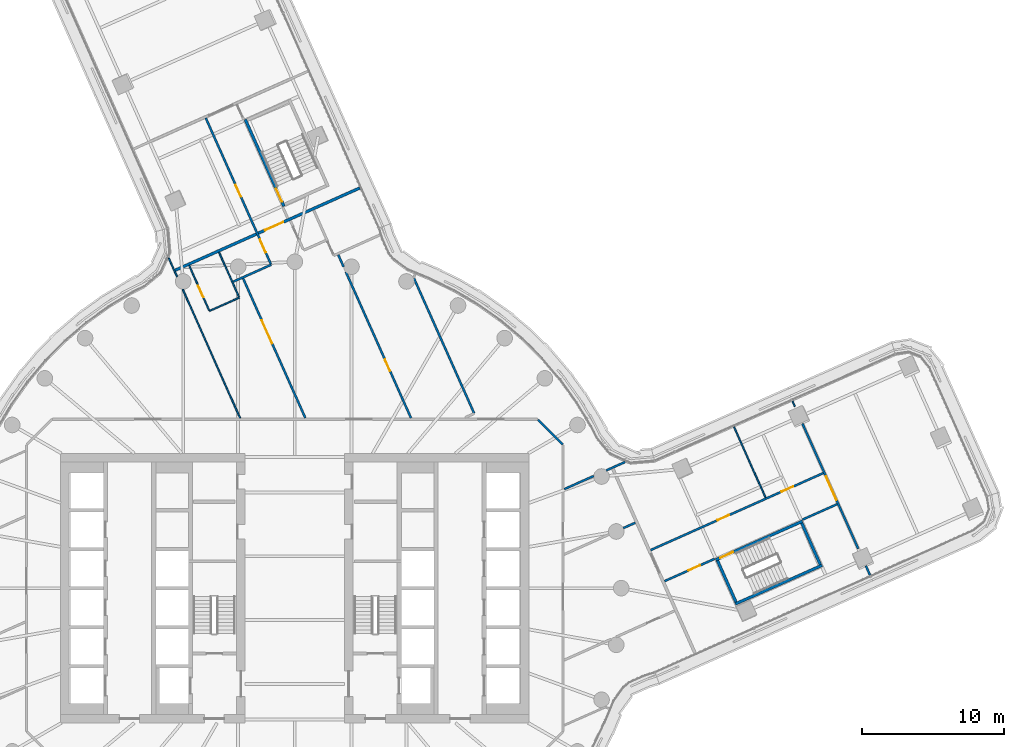
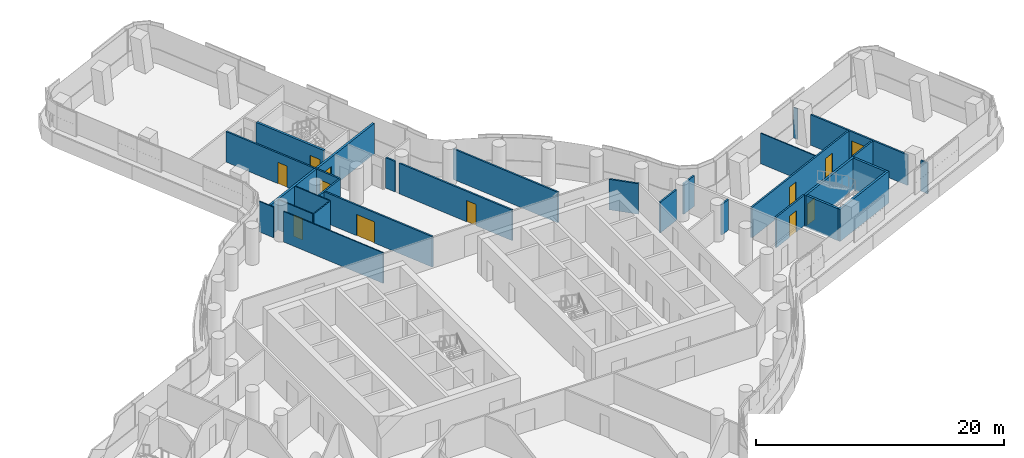
# One storey, part 25 of 35: 28 walls, 12 doors, 12 openings.
"""IFC4 building model written with IfcOpenShell, lengths in metres."""

from ifc_helpers import new_model, si_unit, direction, frame, frame_2d, origin, place, context, subcontext, project, spatial, polyline, rectangle, outline, extrude, material, layer, layer_set, type_object, element, fill, save


model = new_model("IFC4")

# Units and contexts
model_context = context("Model", 3, precision=1e-05, world=origin(), true_north=direction((0.0, 1.0)))
body_context = subcontext(model_context, "Body", "Model", "MODEL_VIEW")
ifc_project = project(units=[si_unit("LENGTHUNIT", "METRE"), si_unit("AREAUNIT", "SQUARE_METRE"), si_unit("VOLUMEUNIT", "CUBIC_METRE"), si_unit("PLANEANGLEUNIT", "RADIAN"), si_unit("MASSUNIT", "GRAM", prefix="KILO")], contexts=[model_context])

# Site, building, storey
site_placement = place(None, origin())
site = spatial("IfcSite", under=ifc_project, at=site_placement, CompositionType="ELEMENT")
building_placement = place(site_placement, origin())
building = spatial("IfcBuilding", under=site, at=building_placement, Name="Tamarind Cross Interchange Tower", CompositionType="ELEMENT")
storey_placement = place(building_placement, frame((0.0, 0.0, 121.0)))
storey = spatial("IfcBuildingStorey", under=building, at=storey_placement, Name="L29", CompositionType="ELEMENT", Elevation=121.0)

# Walls
ifc_material_1 = material(Name="Gypsum board partition on steel studs", Category="steel")
ifc_layer_1 = layer(ifc_material_1, 0.10009765625)
ifc_layer_set_1 = layer_set([ifc_layer_1], Name="Gypsum board partition on steel studs")
wall_type_1 = type_object("IfcWallType", Name="Partition 100 mm EI 90", PredefinedType="PARTITIONING", material=ifc_layer_set_1)
wall_1_placement = place(storey_placement, frame((-8.8876953125, 23.271240234375, 0.0), z_axis=(0.0, 0.0, 1.0), x_axis=(0.407169385214, -0.913352665592, 0.0)))
element("IfcWall", 1, at=wall_1_placement, inside=storey, type_object=wall_type_1, Name="Partition L29-011", PredefinedType="PARTITIONING", context=body_context, shape_type="SweptSolid", body=[
    extrude(rectangle(XDim=1.449951171875, YDim=0.10009765625, at=frame_2d((0.72509765625, 0.0))), origin(), (0.0, 0.0, 1.0), 3.010009765625),
])
wall_2_placement = place(storey_placement, frame((-7.903076171875, 21.062744140625, 0.0), z_axis=(0.0, 0.0, 1.0), x_axis=(0.407201659526, -0.913338277135, 0.0)))
element("IfcWall", 2, at=wall_2_placement, inside=storey, type_object=wall_type_1, Name="Partition L29-012", PredefinedType="PARTITIONING", context=body_context, shape_type="SweptSolid", body=[
    extrude(rectangle(XDim=9.947265625, YDim=0.10009765625, at=frame_2d((4.9736328125, 0.0))), origin(), (0.0, 0.0, 1.0), 3.010009765625),
])

# Wall, opening, door
wall_3_placement = place(storey_placement, frame((-7.443359375, 22.732666015625, 0.0), z_axis=(0.0, 0.0, 1.0), x_axis=(0.407260938579, -0.913311845925, 0.0)))
wall_3 = element("IfcWall", 3, at=wall_3_placement, inside=storey, type_object=wall_type_1, Name="Partition L29-015", PredefinedType="PARTITIONING", context=body_context, shape_type="SweptSolid", body=[
    extrude(rectangle(XDim=3.449951171875, YDim=0.10009765625, at=frame_2d((1.72509765625, 0.0))), origin(), (0.0, 0.0, 1.0), 3.010009765625),
])
opening_1_placement = place(wall_3_placement, frame((1.550048828125, 0.0, 0.0)))
opening_1 = element("IfcOpeningElement", 4, at=opening_1_placement, cuts=wall_3, Name="Opening D04", PredefinedType="OPENING", context=body_context, shape_type="SweptSolid", body=[
    extrude(rectangle(XDim=0.89990234375, YDim=2.10009765625, at=frame_2d((0.449951171875, 1.050048828125))), frame((0.0, 0.06005859375, 0.0), z_axis=(0.0, -1.0, 0.0), x_axis=(1.0, 0.0, 0.0)), (0.0, 0.0, 1.0), 0.1201171875),
])
ifc_material_2 = material(Name="Fire-resisting door set")
door_type_1 = type_object("IfcDoorType", Name="Interior door 900 x 2100 FD60S", OperationType="SINGLE_SWING_LEFT", PredefinedType="DOOR", material=ifc_material_2)
door_1_placement = place(opening_1_placement, origin())
door_1 = element("IfcDoor", 5, at=door_1_placement, inside=storey, type_object=door_type_1, Name="Door D04", OperationType="SINGLE_SWING_LEFT", OverallHeight=2.10009765625, OverallWidth=0.89990234375, PredefinedType="DOOR", context=body_context, shape_type="SweptSolid", body=[
    extrude(rectangle(XDim=0.89990234375, YDim=2.10009765625, at=frame_2d((0.449951171875, 1.050048828125))), frame((0.0, 0.02490234375, 0.0), z_axis=(0.0, -1.0, 0.0), x_axis=(1.0, 0.0, 0.0)), (0.0, 0.0, 1.0), 0.050048828125),
])
fill(opening_1, door_1)

# Walls
wall_4_placement = place(storey_placement, frame((-5.34228515625, 23.668701171875, 0.0), z_axis=(0.0, 0.0, 1.0), x_axis=(0.407175588809, -0.913349900026, 0.0)))
element("IfcWall", 6, at=wall_4_placement, inside=storey, type_object=wall_type_1, Name="Partition L29-017", PredefinedType="PARTITIONING", context=body_context, shape_type="SweptSolid", body=[
    extrude(rectangle(XDim=3.449951171875, YDim=0.10009765625, at=frame_2d((1.72509765625, 0.0))), origin(), (0.0, 0.0, 1.0), 3.010009765625),
])
wall_5_placement = place(storey_placement, frame((30.95361328125, 11.3505859375, 0.0), z_axis=(0.0, 0.0, 1.0), x_axis=(0.407237248259, -0.913322409465, 0.0)))
element("IfcWall", 7, at=wall_5_placement, inside=storey, type_object=wall_type_1, Name="Partition L29-034", PredefinedType="PARTITIONING", context=body_context, shape_type="SweptSolid", body=[
    extrude(rectangle(XDim=5.441162109375, YDim=0.10009765625, at=frame_2d((2.720703125, 0.0))), origin(), (0.0, 0.0, 1.0), 3.010009765625),
])
wall_6_placement = place(storey_placement, frame((35.0673828125, 13.17626953125, 0.0), z_axis=(0.0, 0.0, 1.0), x_axis=(0.406858967396, -0.913490985533, 0.0)))
element("IfcWall", 8, at=wall_6_placement, inside=storey, type_object=wall_type_1, Name="Partition L29-035", PredefinedType="PARTITIONING", context=body_context, shape_type="SweptSolid", body=[
    extrude(rectangle(XDim=0.40869140625, YDim=0.10009765625, at=frame_2d((0.204345703125, 0.0))), origin(), (0.0, 0.0, 1.0), 3.010009765625),
])
wall_7_placement = place(storey_placement, frame((-6.01806640625, 19.535888671875, 0.0), z_axis=(0.0, 0.0, 1.0), x_axis=(0.913452280911, 0.406945856962, 0.0)))
element("IfcWall", 9, at=wall_7_placement, inside=storey, type_object=wall_type_1, Name="Partition L29-057", PredefinedType="PARTITIONING", context=body_context, shape_type="SweptSolid", body=[
    extrude(rectangle(XDim=2.300048828125, YDim=0.10009765625, at=frame_2d((1.14990234375, 0.0))), origin(), (0.0, 0.0, 1.0), 3.010009765625),
])

# Wall, openings, doors
ifc_layer_2 = layer(ifc_material_1, 0.14990234375)
ifc_layer_set_2 = layer_set([ifc_layer_2], Name="Gypsum board partition on steel studs")
wall_type_2 = type_object("IfcWallType", Name="Partition 150 mm EI 120", PredefinedType="PARTITIONING", material=ifc_layer_set_2)
wall_8_placement = place(storey_placement, frame((-6.277587890625, 33.133544921875, 0.0), z_axis=(0.0, 0.0, 1.0), x_axis=(0.407230206281, -0.913325549348, 0.0)))
wall_8 = element("IfcWall", 10, at=wall_8_placement, inside=storey, type_object=wall_type_2, Name="Partition L29-016", PredefinedType="PARTITIONING", context=body_context, shape_type="SweptSolid", body=[
    extrude(rectangle(XDim=11.30517578125, YDim=0.14990234375, at=frame_2d((5.652587890625, 0.0))), origin(), (0.0, 0.0, 1.0), 3.010009765625),
])
opening_2_placement = place(wall_8_placement, frame((9.375, 0.0, 0.0)))
opening_2 = element("IfcOpeningElement", 11, at=opening_2_placement, cuts=wall_8, Name="Opening D05", PredefinedType="OPENING", context=body_context, shape_type="SweptSolid", body=[
    extrude(rectangle(XDim=1.0, YDim=2.10009765625, at=frame_2d((0.5, 1.050048828125))), frame((0.0, 0.0849609375, 0.0), z_axis=(0.0, -1.0, 0.0), x_axis=(1.0, 0.0, 0.0)), (0.0, 0.0, 1.0), 0.169921875),
])
opening_3_placement = place(wall_8_placement, frame((5.175048828125, 0.0, 0.0)))
opening_3 = element("IfcOpeningElement", 12, at=opening_3_placement, cuts=wall_8, Name="Opening D06", PredefinedType="OPENING", context=body_context, shape_type="SweptSolid", body=[
    extrude(rectangle(XDim=0.89990234375, YDim=2.10009765625, at=frame_2d((0.449951171875, 1.050048828125))), frame((0.0, 0.0849609375, 0.0), z_axis=(0.0, -1.0, 0.0), x_axis=(1.0, 0.0, 0.0)), (0.0, 0.0, 1.0), 0.169921875),
])
door_type_2 = type_object("IfcDoorType", Name="Interior door 1000 x 2100 FD60S", OperationType="SINGLE_SWING_LEFT", PredefinedType="DOOR", material=ifc_material_2)
door_2_placement = place(opening_2_placement, frame((1.0, 0.0, 0.0), z_axis=(0.0, 0.0, 1.0), x_axis=(-1.0, 0.0, 0.0)))
door_2 = element("IfcDoor", 13, at=door_2_placement, inside=storey, type_object=door_type_2, Name="Door D05", OperationType="SINGLE_SWING_RIGHT", OverallHeight=2.10009765625, OverallWidth=1.0, PredefinedType="DOOR", context=body_context, shape_type="SweptSolid", body=[
    extrude(rectangle(XDim=1.0, YDim=2.10009765625, at=frame_2d((0.5, 1.050048828125))), frame((0.0, 0.02490234375, 0.0), z_axis=(0.0, -1.0, 0.0), x_axis=(1.0, 0.0, 0.0)), (0.0, 0.0, 1.0), 0.050048828125),
])
fill(opening_2, door_2)
door_3_placement = place(opening_3_placement, frame((0.89990234375, 0.0, 0.0), z_axis=(0.0, 0.0, 1.0), x_axis=(-1.0, 0.0, 0.0)))
door_3 = element("IfcDoor", 14, at=door_3_placement, inside=storey, type_object=door_type_1, Name="Door D06", OperationType="SINGLE_SWING_LEFT", OverallHeight=2.10009765625, OverallWidth=0.89990234375, PredefinedType="DOOR", context=body_context, shape_type="SweptSolid", body=[
    extrude(rectangle(XDim=0.89990234375, YDim=2.10009765625, at=frame_2d((0.449951171875, 1.050048828125))), frame((0.0, 0.02490234375, 0.0), z_axis=(0.0, -1.0, 0.0), x_axis=(1.0, 0.0, 0.0)), (0.0, 0.0, 1.0), 0.050048828125),
])
fill(opening_3, door_3)

# Wall, opening, door
wall_9_placement = place(storey_placement, frame((-3.64453125, 21.825439453125, 0.0), z_axis=(0.0, 0.0, 1.0), x_axis=(0.407223238587, -0.913328656046, 0.0)))
wall_9 = element("IfcWall", 15, at=wall_9_placement, inside=storey, type_object=wall_type_2, Name="Partition L29-020", PredefinedType="PARTITIONING", context=body_context, shape_type="SweptSolid", body=[
    extrude(rectangle(XDim=10.772216796875, YDim=0.14990234375, at=frame_2d((5.38623046875, 0.0))), origin(), (0.0, 0.0, 1.0), 3.010009765625),
])
opening_4_placement = place(wall_9_placement, frame((3.22509765625, 0.0, 0.0)))
opening_4 = element("IfcOpeningElement", 16, at=opening_4_placement, cuts=wall_9, Name="Opening D08", PredefinedType="OPENING", context=body_context, shape_type="SweptSolid", body=[
    extrude(rectangle(XDim=1.800048828125, YDim=2.10009765625, at=frame_2d((0.89990234375, 1.050048828125))), frame((0.0, 0.0849609375, 0.0), z_axis=(0.0, -1.0, 0.0), x_axis=(1.0, 0.0, 0.0)), (0.0, 0.0, 1.0), 0.169921875),
])
door_type_3 = type_object("IfcDoorType", Name="Interior door 1800 x 2100 FD60S", OperationType="DOUBLE_DOOR_SINGLE_SWING", PredefinedType="DOOR", material=ifc_material_2)
door_4_placement = place(opening_4_placement, frame((1.800048828125, 0.0, 0.0), z_axis=(0.0, 0.0, 1.0), x_axis=(-1.0, 0.0, 0.0)))
door_4 = element("IfcDoor", 17, at=door_4_placement, inside=storey, type_object=door_type_3, Name="Door D08", OperationType="DOUBLE_DOOR_SINGLE_SWING", OverallHeight=2.10009765625, OverallWidth=1.800048828125, PredefinedType="DOOR", context=body_context, shape_type="SweptSolid", body=[
    extrude(rectangle(XDim=1.800048828125, YDim=2.10009765625, at=frame_2d((0.89990234375, 1.050048828125))), frame((0.0, 0.02490234375, 0.0), z_axis=(0.0, -1.0, 0.0), x_axis=(1.0, 0.0, 0.0)), (0.0, 0.0, 1.0), 0.050048828125),
])
fill(opening_4, door_4)

# Wall
wall_10_placement = place(storey_placement, frame((3.056640625, 23.493896484375, 0.0), z_axis=(0.0, 0.0, 1.0), x_axis=(0.407135515797, -0.913367763706, 0.0)))
element("IfcWall", 18, at=wall_10_placement, inside=storey, type_object=wall_type_2, Name="Partition L29-028", PredefinedType="PARTITIONING", context=body_context, shape_type="SweptSolid", body=[
    extrude(rectangle(XDim=0.93115234375, YDim=0.14990234375, at=frame_2d((0.465576171875, 0.0))), origin(), (0.0, 0.0, 1.0), 3.010009765625),
])

# Wall, opening, door
wall_11_placement = place(storey_placement, frame((3.596435546875, 22.282958984375, 0.0), z_axis=(0.0, 0.0, 1.0), x_axis=(0.407231277155, -0.91332507187, 0.0)))
wall_11 = element("IfcWall", 19, at=wall_11_placement, inside=storey, type_object=wall_type_2, Name="Partition L29-029", PredefinedType="PARTITIONING", context=body_context, shape_type="SweptSolid", body=[
    extrude(rectangle(XDim=11.273193359375, YDim=0.14990234375, at=frame_2d((5.63671875, 0.0))), origin(), (0.0, 0.0, 1.0), 3.010009765625),
])
opening_5_placement = place(wall_11_placement, frame((6.75, 0.0, 0.0)))
opening_5 = element("IfcOpeningElement", 20, at=opening_5_placement, cuts=wall_11, Name="Opening D14", PredefinedType="OPENING", context=body_context, shape_type="SweptSolid", body=[
    extrude(rectangle(XDim=0.89990234375, YDim=2.10009765625, at=frame_2d((0.449951171875, 1.050048828125))), frame((0.0, 0.0849609375, 0.0), z_axis=(0.0, -1.0, 0.0), x_axis=(1.0, 0.0, 0.0)), (0.0, 0.0, 1.0), 0.169921875),
])
door_5_placement = place(opening_5_placement, origin())
door_5 = element("IfcDoor", 21, at=door_5_placement, inside=storey, type_object=door_type_1, Name="Door D14", OperationType="SINGLE_SWING_LEFT", OverallHeight=2.10009765625, OverallWidth=0.89990234375, PredefinedType="DOOR", context=body_context, shape_type="SweptSolid", body=[
    extrude(rectangle(XDim=0.89990234375, YDim=2.10009765625, at=frame_2d((0.449951171875, 1.050048828125))), frame((0.0, 0.02490234375, 0.0), z_axis=(0.0, -1.0, 0.0), x_axis=(1.0, 0.0, 0.0)), (0.0, 0.0, 1.0), 0.050048828125),
])
fill(opening_5, door_5)

# Wall
wall_12_placement = place(storey_placement, frame((8.390380859375, 21.8447265625, 0.0), z_axis=(0.0, 0.0, 1.0), x_axis=(0.407183718185, -0.91334627587, 0.0)))
element("IfcWall", 22, at=wall_12_placement, inside=storey, type_object=wall_type_2, Name="Partition L29-032", PredefinedType="PARTITIONING", context=body_context, shape_type="SweptSolid", body=[
    extrude(rectangle(XDim=10.42138671875, YDim=0.14990234375, at=frame_2d((5.210693359375, 0.0))), origin(), (0.0, 0.0, 1.0), 3.010009765625),
])

# Wall, opening, door
wall_13_placement = place(storey_placement, frame((35.767333984375, 11.60595703125, 0.0), z_axis=(0.0, 0.0, 1.0), x_axis=(0.407156947181, -0.913358210322, 0.0)))
wall_13 = element("IfcWall", 23, at=wall_13_placement, inside=storey, type_object=wall_type_2, Name="Partition L29-036", PredefinedType="PARTITIONING", context=body_context, shape_type="SweptSolid", body=[
    extrude(rectangle(XDim=9.672607421875, YDim=0.14990234375, at=frame_2d((4.83642578125, 0.0))), origin(), (0.0, 0.0, 1.0), 3.010009765625),
])
opening_6_placement = place(wall_13_placement, frame((4.09375, 0.0, 0.0)))
opening_6 = element("IfcOpeningElement", 24, at=opening_6_placement, cuts=wall_13, Name="Opening D16", PredefinedType="OPENING", context=body_context, shape_type="SweptSolid", body=[
    extrude(rectangle(XDim=1.800048828125, YDim=2.10009765625, at=frame_2d((0.89990234375, 1.050048828125))), frame((0.0, 0.0849609375, 0.0), z_axis=(0.0, -1.0, 0.0), x_axis=(1.0, 0.0, 0.0)), (0.0, 0.0, 1.0), 0.169921875),
])
door_6_placement = place(opening_6_placement, frame((1.800048828125, 0.0, 0.0), z_axis=(0.0, 0.0, 1.0), x_axis=(-1.0, 0.0, 0.0)))
door_6 = element("IfcDoor", 25, at=door_6_placement, inside=storey, type_object=door_type_3, Name="Door D16", OperationType="DOUBLE_DOOR_SINGLE_SWING", OverallHeight=2.10009765625, OverallWidth=1.800048828125, PredefinedType="DOOR", context=body_context, shape_type="SweptSolid", body=[
    extrude(rectangle(XDim=1.800048828125, YDim=2.10009765625, at=frame_2d((0.89990234375, 1.050048828125))), frame((0.0, 0.02490234375, 0.0), z_axis=(0.0, -1.0, 0.0), x_axis=(1.0, 0.0, 0.0)), (0.0, 0.0, 1.0), 0.050048828125),
])
fill(opening_6, door_6)

# Walls
wall_14_placement = place(storey_placement, frame((40.2392578125, 1.57470703125, 0.0), z_axis=(0.0, 0.0, 1.0), x_axis=(0.407287150965, -0.913300156936, 0.0)))
element("IfcWall", 26, at=wall_14_placement, inside=storey, type_object=wall_type_2, Name="Partition L29-037", PredefinedType="PARTITIONING", context=body_context, shape_type="SweptSolid", body=[
    extrude(rectangle(XDim=0.709716796875, YDim=0.14990234375, at=frame_2d((0.35498046875, 0.0))), origin(), (0.0, 0.0, 1.0), 3.010009765625),
])
wall_15_placement = place(storey_placement, frame((17.12841796875, 11.87158203125, 0.0), z_axis=(0.0, 0.0, 1.0), x_axis=(0.707106781187, -0.707106781187, 0.0)))
element("IfcWall", 27, at=wall_15_placement, inside=storey, type_object=wall_type_2, Name="Partition L29-039", PredefinedType="PARTITIONING", context=body_context, shape_type="SweptSolid", body=[
    extrude(rectangle(XDim=2.465087890625, YDim=0.14990234375, at=frame_2d((1.232421875, 0.0))), origin(), (0.0, 0.0, 1.0), 3.010009765625),
])
wall_16_placement = place(storey_placement, frame((-4.355712890625, 21.59033203125, 0.0), z_axis=(0.0, 0.0, 1.0), x_axis=(0.913270631474, 0.40735335237, 0.0)))
element("IfcWall", 28, at=wall_16_placement, inside=storey, type_object=wall_type_2, Name="Partition L29-060", PredefinedType="PARTITIONING", context=body_context, shape_type="SweptSolid", body=[
    extrude(rectangle(XDim=2.945068359375, YDim=0.14990234375, at=frame_2d((1.47265625, 0.0))), origin(), (0.0, 0.0, 1.0), 3.010009765625),
])
wall_17_placement = place(storey_placement, frame((23.146240234375, 4.23388671875, 0.0), z_axis=(0.0, 0.0, 1.0), x_axis=(0.913268856535, 0.407357331692, 0.0)))
element("IfcWall", 29, at=wall_17_placement, inside=storey, type_object=wall_type_2, Name="Partition L29-070", PredefinedType="PARTITIONING", context=body_context, shape_type="SweptSolid", body=[
    extrude(rectangle(XDim=0.928955078125, YDim=0.14990234375, at=frame_2d((0.46435546875, 0.0))), origin(), (0.0, 0.0, 1.0), 3.010009765625),
])
wall_18_placement = place(storey_placement, frame((18.98681640625, 6.977783203125, 0.0), z_axis=(0.0, 0.0, 1.0), x_axis=(0.913336978185, 0.407204573009, 0.0)))
element("IfcWall", 30, at=wall_18_placement, inside=storey, type_object=wall_type_2, Name="Partition L29-071", PredefinedType="PARTITIONING", context=body_context, shape_type="SweptSolid", body=[
    extrude(rectangle(XDim=2.27294921875, YDim=0.14990234375, at=frame_2d((1.136474609375, 0.0))), origin(), (0.0, 0.0, 1.0), 3.010009765625),
])
wall_19_placement = place(storey_placement, frame((21.94677734375, 8.297607421875, 0.0), z_axis=(0.0, 0.0, 1.0), x_axis=(0.913324742131, 0.407232016683, 0.0)))
element("IfcWall", 31, at=wall_19_placement, inside=storey, type_object=wall_type_2, Name="Partition L29-072", PredefinedType="PARTITIONING", context=body_context, shape_type="SweptSolid", body=[
    extrude(rectangle(XDim=1.44970703125, YDim=0.14990234375, at=frame_2d((0.724853515625, 0.0))), origin(), (0.0, 0.0, 1.0), 3.010009765625),
])

# Wall, openings, doors
wall_20_placement = place(storey_placement, frame((25.0732421875, 2.68359375, 0.0), z_axis=(0.0, 0.0, 1.0), x_axis=(0.913308424766, 0.407268610687, 0.0)))
wall_20 = element("IfcWall", 32, at=wall_20_placement, inside=storey, type_object=wall_type_2, Name="Partition L29-073", PredefinedType="PARTITIONING", context=body_context, shape_type="SweptSolid", body=[
    extrude(rectangle(XDim=13.325439453125, YDim=0.14990234375, at=frame_2d((6.66259765625, 0.0))), origin(), (0.0, 0.0, 1.0), 3.010009765625),
])
opening_7_placement = place(wall_20_placement, frame((5.14990234375, 0.0, 0.0)))
opening_7 = element("IfcOpeningElement", 33, at=opening_7_placement, cuts=wall_20, Name="Opening D35", PredefinedType="OPENING", context=body_context, shape_type="SweptSolid", body=[
    extrude(rectangle(XDim=0.89990234375, YDim=2.10009765625, at=frame_2d((0.449951171875, 1.050048828125))), frame((0.0, 0.0849609375, 0.0), z_axis=(0.0, -1.0, 0.0), x_axis=(1.0, 0.0, 0.0)), (0.0, 0.0, 1.0), 0.169921875),
])
opening_8_placement = place(wall_20_placement, frame((10.10009765625, 0.0, 0.0)))
opening_8 = element("IfcOpeningElement", 34, at=opening_8_placement, cuts=wall_20, Name="Opening D36", PredefinedType="OPENING", context=body_context, shape_type="SweptSolid", body=[
    extrude(rectangle(XDim=0.89990234375, YDim=2.10009765625, at=frame_2d((0.449951171875, 1.050048828125))), frame((0.0, 0.0849609375, 0.0), z_axis=(0.0, -1.0, 0.0), x_axis=(1.0, 0.0, 0.0)), (0.0, 0.0, 1.0), 0.169921875),
])
door_7_placement = place(opening_7_placement, origin())
door_7 = element("IfcDoor", 35, at=door_7_placement, inside=storey, type_object=door_type_1, Name="Door D35", OperationType="SINGLE_SWING_RIGHT", OverallHeight=2.10009765625, OverallWidth=0.89990234375, PredefinedType="DOOR", context=body_context, shape_type="SweptSolid", body=[
    extrude(rectangle(XDim=0.89990234375, YDim=2.10009765625, at=frame_2d((0.449951171875, 1.050048828125))), frame((0.0, 0.02490234375, 0.0), z_axis=(0.0, -1.0, 0.0), x_axis=(1.0, 0.0, 0.0)), (0.0, 0.0, 1.0), 0.050048828125),
])
fill(opening_7, door_7)
door_8_placement = place(opening_8_placement, origin())
door_8 = element("IfcDoor", 36, at=door_8_placement, inside=storey, type_object=door_type_1, Name="Door D36", OperationType="SINGLE_SWING_LEFT", OverallHeight=2.10009765625, OverallWidth=0.89990234375, PredefinedType="DOOR", context=body_context, shape_type="SweptSolid", body=[
    extrude(rectangle(XDim=0.89990234375, YDim=2.10009765625, at=frame_2d((0.449951171875, 1.050048828125))), frame((0.0, 0.02490234375, 0.0), z_axis=(0.0, -1.0, 0.0), x_axis=(1.0, 0.0, 0.0)), (0.0, 0.0, 1.0), 0.050048828125),
])
fill(opening_8, door_8)

# Wall, opening, door
wall_21_placement = place(storey_placement, frame((26.054931640625, 0.493896484375, 0.0), z_axis=(0.0, 0.0, 1.0), x_axis=(0.913285971711, 0.407318958404, 0.0)))
wall_21 = element("IfcWall", 37, at=wall_21_placement, inside=storey, type_object=wall_type_2, Name="Partition L29-074", PredefinedType="PARTITIONING", context=body_context, shape_type="SweptSolid", body=[
    extrude(rectangle(XDim=3.85595703125, YDim=0.14990234375, at=frame_2d((1.927978515625, 0.0))), origin(), (0.0, 0.0, 1.0), 3.010009765625),
])
opening_9_placement = place(wall_21_placement, frame((1.844970703125, 0.0, 0.0)))
opening_9 = element("IfcOpeningElement", 38, at=opening_9_placement, cuts=wall_21, Name="Opening D37", PredefinedType="OPENING", context=body_context, shape_type="SweptSolid", body=[
    extrude(rectangle(XDim=0.89990234375, YDim=2.10009765625, at=frame_2d((0.449951171875, 1.050048828125))), frame((0.0, 0.0849609375, 0.0), z_axis=(0.0, -1.0, 0.0), x_axis=(1.0, 0.0, 0.0)), (0.0, 0.0, 1.0), 0.169921875),
])
door_9_placement = place(opening_9_placement, frame((0.89990234375, 0.0, 0.0), z_axis=(0.0, 0.0, 1.0), x_axis=(-1.0, 0.0, 0.0)))
door_9 = element("IfcDoor", 39, at=door_9_placement, inside=storey, type_object=door_type_1, Name="Door D37", OperationType="SINGLE_SWING_RIGHT", OverallHeight=2.10009765625, OverallWidth=0.89990234375, PredefinedType="DOOR", context=body_context, shape_type="SweptSolid", body=[
    extrude(rectangle(XDim=0.89990234375, YDim=2.10009765625, at=frame_2d((0.449951171875, 1.050048828125))), frame((0.0, 0.02490234375, 0.0), z_axis=(0.0, -1.0, 0.0), x_axis=(1.0, 0.0, 0.0)), (0.0, 0.0, 1.0), 0.050048828125),
])
fill(opening_9, door_9)

# Wall
wall_22_placement = place(storey_placement, frame((35.76806640625, 4.826171875, 0.0), z_axis=(0.0, 0.0, 1.0), x_axis=(0.913255713436, 0.407386796395, 0.0)))
element("IfcWall", 40, at=wall_22_placement, inside=storey, type_object=wall_type_2, Name="Partition L29-075", PredefinedType="PARTITIONING", context=body_context, shape_type="SweptSolid", body=[
    extrude(rectangle(XDim=2.684814453125, YDim=0.14990234375, at=frame_2d((1.34228515625, 0.0))), origin(), (0.0, 0.0, 1.0), 3.010009765625),
])

# Wall, opening, door
ifc_layer_3 = layer(ifc_material_1, 0.199951171875)
ifc_layer_set_3 = layer_set([ifc_layer_3], Name="Gypsum board partition on steel studs")
wall_type_3 = type_object("IfcWallType", Name="Partition 200 mm EI 180", PredefinedType="PARTITIONING", material=ifc_layer_set_3)
wall_23_placement = place(storey_placement, frame((-8.43408203125, 22.400390625, 0.0), z_axis=(0.0, 0.0, 1.0), x_axis=(0.913356347465, 0.407161126023, 0.0)))
wall_23 = element("IfcWall", 41, at=wall_23_placement, inside=storey, type_object=wall_type_3, Name="Partition L29-056", PredefinedType="PARTITIONING", context=body_context, shape_type="SweptSolid", body=[
    extrude(rectangle(XDim=14.239013671875, YDim=0.199951171875, at=frame_2d((7.11962890625, 0.0))), origin(), (0.0, 0.0, 1.0), 3.010009765625),
])
opening_10_placement = place(wall_23_placement, frame((6.9404296875, 0.0, 0.0)))
opening_10 = element("IfcOpeningElement", 42, at=opening_10_placement, cuts=wall_23, Name="Opening D31", PredefinedType="OPENING", context=body_context, shape_type="SweptSolid", body=[
    extrude(rectangle(XDim=1.39990234375, YDim=2.10009765625, at=frame_2d((0.699951171875, 1.050048828125))), frame((0.0, 0.10986328125, 0.0), z_axis=(0.0, -1.0, 0.0), x_axis=(1.0, 0.0, 0.0)), (0.0, 0.0, 1.0), 0.219970703125),
])
door_type_4 = type_object("IfcDoorType", Name="Interior door 1400 x 2100 FD120S", OperationType="DOUBLE_DOOR_SINGLE_SWING", PredefinedType="DOOR", material=ifc_material_2)
door_10_placement = place(opening_10_placement, frame((1.39990234375, 0.0, 0.0), z_axis=(0.0, 0.0, 1.0), x_axis=(-1.0, 0.0, 0.0)))
door_10 = element("IfcDoor", 43, at=door_10_placement, inside=storey, type_object=door_type_4, Name="Door D31", OperationType="DOUBLE_DOOR_SINGLE_SWING", OverallHeight=2.10009765625, OverallWidth=1.39990234375, PredefinedType="DOOR", context=body_context, shape_type="SweptSolid", body=[
    extrude(rectangle(XDim=1.39990234375, YDim=2.10009765625, at=frame_2d((0.699951171875, 1.050048828125))), frame((0.0, 0.02490234375, 0.0), z_axis=(0.0, -1.0, 0.0), x_axis=(1.0, 0.0, 0.0)), (0.0, 0.0, 1.0), 0.050048828125),
])
fill(opening_10, door_10)

ifc_material_3 = material(Name="Concrete C40", Category="concrete")
ifc_layer_4 = layer(ifc_material_3, 0.199951171875)
ifc_layer_set_4 = layer_set([ifc_layer_4], Name="Concrete C40")
wall_type_4 = type_object("IfcWallType", Name="Stair shaft wall 200 mm Concrete C40", PredefinedType="SHEAR", material=ifc_layer_set_4)
wall_24_placement = place(storey_placement, frame((29.6533203125, 1.989013671875, -0.139892578125), z_axis=(0.0, 0.0, 1.0), x_axis=(0.913337599768, 0.407203178831, 0.0)))
wall_24 = element("IfcWall", 44, at=wall_24_placement, inside=storey, type_object=wall_type_4, Name="Core wall CWL-L29-ST3-H", PredefinedType="SHEAR", context=body_context, shape_type="SweptSolid", body=[
    extrude(rectangle(XDim=6.699951171875, YDim=0.199951171875, at=frame_2d((3.35009765625, 0.0))), origin(), (0.0, 0.0, 1.0), 3.14990234375),
])
opening_11_placement = place(wall_24_placement, frame((0.35009765625, 0.0, 0.0)))
opening_11 = element("IfcOpeningElement", 45, at=opening_11_placement, cuts=wall_24, Name="Opening ST3L29", PredefinedType="OPENING", context=body_context, shape_type="SweptSolid", body=[
    extrude(rectangle(XDim=1.0, YDim=2.10009765625, at=frame_2d((0.5, 1.050048828125))), frame((0.0, 0.10986328125, 0.0), z_axis=(0.0, -1.0, 0.0), x_axis=(1.0, 0.0, 0.0)), (0.0, 0.0, 1.0), 0.219970703125),
])
ifc_material_4 = material(Name="Steel, fire-resisting", Category="steel")
door_type_5 = type_object("IfcDoorType", Name="Core fire door 1000 x 2100 FD90", OperationType="SINGLE_SWING_LEFT", PredefinedType="DOOR", material=ifc_material_4)
door_11_placement = place(opening_11_placement, origin())
door_11 = element("IfcDoor", 46, at=door_11_placement, inside=storey, type_object=door_type_5, Name="L29 stair door ST3", OperationType="SINGLE_SWING_LEFT", OverallHeight=2.10009765625, OverallWidth=1.0, PredefinedType="DOOR", context=body_context, shape_type="SweptSolid", body=[
    extrude(rectangle(XDim=1.0, YDim=2.10009765625, at=frame_2d((0.5, 1.050048828125))), frame((0.0, 0.02490234375, 0.0), z_axis=(0.0, -1.0, 0.0), x_axis=(1.0, 0.0, 0.0)), (0.0, 0.0, 1.0), 0.050048828125),
])
fill(opening_11, door_11)

# Walls
wall_25_placement = place(storey_placement, frame((31.037841796875, -1.1162109375, -0.139892578125), z_axis=(0.0, 0.0, 1.0), x_axis=(0.913337599768, 0.407203178831, 0.0)))
element("IfcWall", 47, at=wall_25_placement, inside=storey, type_object=wall_type_4, Name="Core wall CWL-L29-ST3-C", PredefinedType="SHEAR", context=body_context, shape_type="SweptSolid", body=[
    extrude(rectangle(XDim=6.699951171875, YDim=0.199951171875, at=frame_2d((3.35009765625, 0.0))), origin(), (0.0, 0.0, 1.0), 3.14990234375),
])
wall_26_placement = place(storey_placement, frame((31.08837890625, -0.984375, -0.139892578125), z_axis=(0.0, 0.0, 1.0), x_axis=(-0.407164597913, 0.913354799739, 0.0)))
element("IfcWall", 48, at=wall_26_placement, inside=storey, type_object=wall_type_4, Name="Core wall CWL-L29-ST3-CE", PredefinedType="SHEAR", context=body_context, shape_type="SweptSolid", body=[
    extrude(rectangle(XDim=3.2001953125, YDim=0.199951171875, at=frame_2d((1.60009765625, 0.0))), origin(), (0.0, 0.0, 1.0), 3.14990234375),
])
wall_27_placement = place(storey_placement, frame((0.0, 0.0, -0.139892578125)))
element("IfcWall", 49, at=wall_27_placement, inside=storey, type_object=wall_type_4, Name="Core wall CWL-L29-ST3-CF", PredefinedType="SHEAR", context=body_context, shape_type="SweptSolid", body=[
    extrude(outline(polyline([(36.933837890625, 1.621826171875), (37.116455078125, 1.703369140625), (35.8134765625, 4.6259765625), (35.630615234375, 4.544677734375), (36.933837890625, 1.621826171875)])), origin(), (0.0, 0.0, 1.0), 3.14990234375),
])

# Wall, opening, door
wall_28_placement = place(storey_placement, frame((-0.767333984375, 26.913330078125, -0.139892578125), z_axis=(0.0, 0.0, 1.0), x_axis=(-0.407203178831, 0.913337599768, 0.0)))
wall_28 = element("IfcWall", 50, at=wall_28_placement, inside=storey, type_object=wall_type_4, Name="Core wall CWL-L29-ST4-H", PredefinedType="SHEAR", context=body_context, shape_type="SweptSolid", body=[
    extrude(rectangle(XDim=6.699951171875, YDim=0.199951171875, at=frame_2d((3.35009765625, 0.0))), origin(), (0.0, 0.0, 1.0), 3.14990234375),
])
opening_12_placement = place(wall_28_placement, frame((0.35009765625, 0.0, 0.0)))
opening_12 = element("IfcOpeningElement", 51, at=opening_12_placement, cuts=wall_28, Name="Opening ST4L29", PredefinedType="OPENING", context=body_context, shape_type="SweptSolid", body=[
    extrude(rectangle(XDim=1.0, YDim=2.10009765625, at=frame_2d((0.5, 1.050048828125))), frame((0.0, 0.10986328125, 0.0), z_axis=(0.0, -1.0, 0.0), x_axis=(1.0, 0.0, 0.0)), (0.0, 0.0, 1.0), 0.219970703125),
])
door_12_placement = place(opening_12_placement, origin())
door_12 = element("IfcDoor", 52, at=door_12_placement, inside=storey, type_object=door_type_5, Name="L29 stair door ST4", OperationType="SINGLE_SWING_LEFT", OverallHeight=2.10009765625, OverallWidth=1.0, PredefinedType="DOOR", context=body_context, shape_type="SweptSolid", body=[
    extrude(rectangle(XDim=1.0, YDim=2.10009765625, at=frame_2d((0.5, 1.050048828125))), frame((0.0, 0.02490234375, 0.0), z_axis=(0.0, -1.0, 0.0), x_axis=(1.0, 0.0, 0.0)), (0.0, 0.0, 1.0), 0.050048828125),
])
fill(opening_12, door_12)

save(model, "model.ifc")
